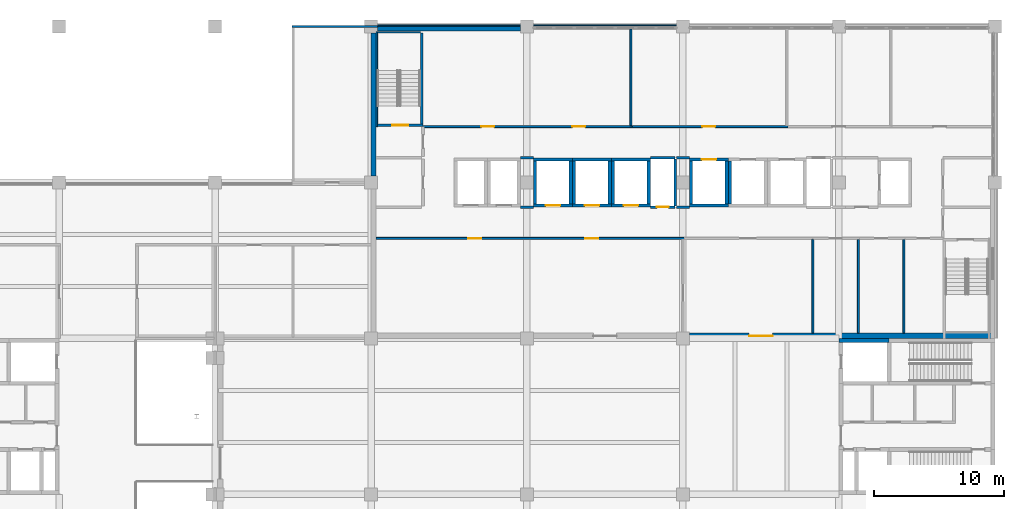
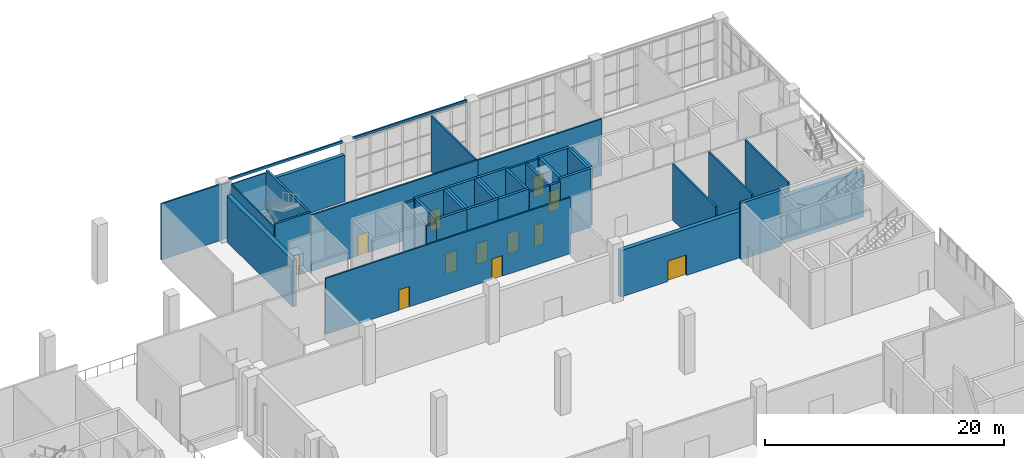
# One storey, part 65 of 72: 42 walls, 12 doors, 12 openings.
"""IFC4 building model written with IfcOpenShell, lengths in metres."""

import ifcopenshell
import ifcopenshell.guid

model = None  # the IFC model being written
_history = None  # IfcOwnerHistory: only IFC2X3 demands one
_inside = {}  # id of a spatial element -> (the spatial element, [elements in it])
_under = {}  # id of a project, library or spatial element -> (it, [spatial elements below it])
_declared = {}  # id of a project -> (the project, [libraries it declares])
_typed = {}  # id of a type object -> (the type object, [elements of that type])
_made_of = {}  # id of a material, layer set ... -> (it, [elements and type objects made of it])


def new_model(schema):
    """Start an empty IFC model of exactly this schema.

    Asked for "IFC4X3", IfcOpenShell would pick the latest addendum, in which some entities
    have other attributes; the version numbers below select the first issue.
    IFC2X3 requires an IfcOwnerHistory on every rooted entity: one is made here for all.
    """
    global model, _history
    if schema == "IFC4X3":
        model = ifcopenshell.file(schema_version=(4, 3, 0, 0))
    else:
        model = ifcopenshell.file(schema=schema)
    _inside.clear()
    _under.clear()
    _declared.clear()
    _typed.clear()
    _made_of.clear()
    _history = None
    if model.schema == "IFC2X3":
        org = make("IfcOrganization", Name="unknown")
        user = make(
            "IfcPersonAndOrganization",
            ThePerson=make("IfcPerson", FamilyName="unknown"),
            TheOrganization=org,
        )
        app = make(
            "IfcApplication",
            ApplicationDeveloper=org,
            Version="unknown",
            ApplicationFullName="unknown",
            ApplicationIdentifier="unknown",
        )
        _history = make(
            "IfcOwnerHistory",
            OwningUser=user,
            OwningApplication=app,
            ChangeAction="ADDED",
            CreationDate=0,
        )
    return model


def make(cls, **values):
    """One entity of the class cls with the attributes given. An attribute that is None is left unset."""
    return model.create_entity(
        cls, **{name: value for name, value in values.items() if value is not None}
    )


def rooted(cls, **values):
    """An entity with a GlobalId (a new one), such as an element, a storey or a relation."""
    return make(cls, GlobalId=ifcopenshell.guid.new(), OwnerHistory=_history, **values)


def si_unit(unit_type, name, prefix=None):
    """IfcSIUnit, for example si_unit("LENGTHUNIT", "METRE", prefix="MILLI")."""
    return make("IfcSIUnit", UnitType=unit_type, Prefix=prefix, Name=name)


def assignment(units):
    """IfcUnitAssignment: the units of a project."""
    return None if units is None else make("IfcUnitAssignment", Units=units)


def point(xyz):
    """IfcCartesianPoint."""
    return None if xyz is None else make("IfcCartesianPoint", Coordinates=xyz)


def direction(xyz):
    """IfcDirection."""
    return None if xyz is None else make("IfcDirection", DirectionRatios=xyz)


def frame(location, z_axis=None, x_axis=None):
    """IfcAxis2Placement3D, a coordinate frame: its origin and axes. An axis left out is left unset."""
    return make(
        "IfcAxis2Placement3D",
        Location=point(location),
        Axis=direction(z_axis),
        RefDirection=direction(x_axis),
    )


def frame_2d(location, x_axis=None):
    """IfcAxis2Placement2D, a coordinate frame in the plane: its origin and x axis."""
    return make(
        "IfcAxis2Placement2D", Location=point(location), RefDirection=direction(x_axis)
    )


def origin():
    """The frame at (0, 0, 0) with its axes left unset."""
    return frame((0.0, 0.0, 0.0))


def place(relative_to, where):
    """IfcLocalPlacement: puts the frame where relative to a parent placement (None: the world)."""
    return make(
        "IfcLocalPlacement", PlacementRelTo=relative_to, RelativePlacement=where
    )


def context(
    kind, dimensions, precision=None, world=None, true_north=None, identifier=None
):
    """IfcGeometricRepresentationContext, for example the 3D "Model" context."""
    return make(
        "IfcGeometricRepresentationContext",
        ContextIdentifier=identifier,
        ContextType=kind,
        CoordinateSpaceDimension=dimensions,
        Precision=precision,
        WorldCoordinateSystem=world,
        TrueNorth=true_north,
    )


def subcontext(parent, identifier, kind, view, scale=None):
    """IfcGeometricRepresentationSubContext, for example "Body" below "Model"."""
    return make(
        "IfcGeometricRepresentationSubContext",
        ContextIdentifier=identifier,
        ContextType=kind,
        ParentContext=parent,
        TargetScale=scale,
        TargetView=view,
    )


def project(units=None, contexts=None):
    """IfcProject with its units and contexts."""
    return rooted(
        "IfcProject",
        Name="project",
        RepresentationContexts=contexts,
        UnitsInContext=assignment(units),
    )


def spatial(cls, under=None, at=None, **own):
    """A site, building, storey or space (cls), placed at a placement, below another one or the project."""
    s = rooted(cls, ObjectPlacement=at, **own)
    if under is not None:
        _under.setdefault(under.id(), (under, []))[1].append(s)
    return s


def profile(cls, at=None, kind="AREA", **sizes):
    """A parametric profile (cls). Its sizes go by their IFC names, for example OverallWidth=200.0."""
    return make(cls, ProfileType=kind, Position=at, **sizes)


def rectangle(**sizes):
    """IfcRectangleProfileDef."""
    return profile("IfcRectangleProfileDef", **sizes)


def extrude(swept, where, along, depth):
    """IfcExtrudedAreaSolid: the profile swept, set in the frame where, extruded along a direction by depth."""
    return make(
        "IfcExtrudedAreaSolid",
        SweptArea=swept,
        Position=where,
        ExtrudedDirection=direction(along),
        Depth=depth,
    )


def shape(context_of_items, identifier, shape_type, items):
    """IfcShapeRepresentation: the items that make up one representation, for example the "Body"."""
    return make(
        "IfcShapeRepresentation",
        ContextOfItems=context_of_items,
        RepresentationIdentifier=identifier,
        RepresentationType=shape_type,
        Items=items,
    )


def material(Name=None, Category=None):
    """IfcMaterial."""
    return make("IfcMaterial", Name=Name, Category=Category)


def layer(
    of_material, thickness, ventilated=None, Name=None, Category=None, Priority=None
):
    """IfcMaterialLayer: one layer of a wall or slab, of a material (None: an air gap)."""
    return make(
        "IfcMaterialLayer",
        Material=of_material,
        LayerThickness=thickness,
        IsVentilated=ventilated,
        Name=Name,
        Category=Category,
        Priority=Priority,
    )


def layer_set(layers, Name=None):
    """IfcMaterialLayerSet."""
    return make("IfcMaterialLayerSet", MaterialLayers=layers, LayerSetName=Name)


def made_of(thing, what):
    """Note that an element or type object is made of a material, layer set ...; save() writes the relation."""
    if what is not None:
        _made_of.setdefault(what.id(), (what, []))[1].append(thing)
    return thing


def type_object(cls, material=None, **own):
    """A type object (cls), such as IfcWallType, which elements share."""
    return made_of(rooted(cls, **own), material)


def element(
    cls,
    number,
    at=None,
    inside=None,
    cuts=None,
    type_object=None,
    material=None,
    context=None,
    identifier="Body",
    shape_type=None,
    held_by="IfcProductDefinitionShape",
    body=None,
    shapes=None,
    **own,
):
    """One element of the class cls, such as IfcWall. Its Tag is "e" and its number.

    at: its placement. inside: the storey or other place that contains it. cuts: it is an
    opening in that element (IfcRelVoidsElement). A single representation is given by context,
    identifier, shape_type and body (its items); several are given by shapes. held_by: the class
    of the entity that holds the representations. save() writes the other relations.
    """
    e = rooted(cls, Tag="e%d" % number, ObjectPlacement=at, **own)
    if body is not None:
        shapes = [shape(context, identifier, shape_type, body)]
    if shapes is not None:
        e.Representation = make(held_by, Representations=shapes)
    if inside is not None:
        _inside.setdefault(inside.id(), (inside, []))[1].append(e)
    if cuts is not None:
        rooted(
            "IfcRelVoidsElement", RelatingBuildingElement=cuts, RelatedOpeningElement=e
        )
    if type_object is not None:
        _typed.setdefault(type_object.id(), (type_object, []))[1].append(e)
    return made_of(e, material)


def fill(opening, filler):
    """IfcRelFillsElement: the door or window that sits in an opening."""
    return rooted(
        "IfcRelFillsElement",
        RelatingOpeningElement=opening,
        RelatedBuildingElement=filler,
    )


def aggregate(whole, parts):
    """IfcRelAggregates: a whole, such as a stair, and the parts it consists of."""
    return rooted("IfcRelAggregates", RelatingObject=whole, RelatedObjects=parts)


def save(model, path):
    """Write the relations noted so far, then the file.

    IfcRelAggregates (storeys below a building ...), IfcRelContainedInSpatialStructure (elements
    in a storey), IfcRelDefinesByType, IfcRelAssociatesMaterial and IfcRelDeclares: one each for
    every whole, place, type object, material and project.
    """
    for whole, parts in _under.values():
        aggregate(whole, parts)
    for where, things in _inside.values():
        rooted(
            "IfcRelContainedInSpatialStructure",
            RelatedElements=things,
            RelatingStructure=where,
        )
    for kind, things in _typed.values():
        rooted("IfcRelDefinesByType", RelatedObjects=things, RelatingType=kind)
    for what, things in _made_of.values():
        rooted("IfcRelAssociatesMaterial", RelatedObjects=things, RelatingMaterial=what)
    for by, libraries in _declared.values():
        rooted("IfcRelDeclares", RelatingContext=by, RelatedDefinitions=libraries)
    model.write(path)


model = new_model("IFC4")

# Units and contexts
model_context = context("Model", 3, precision=1e-05, world=origin(), true_north=direction((0.0, 1.0)))
body_context = subcontext(model_context, "Body", "Model", "MODEL_VIEW")
ifc_project = project(units=[si_unit("LENGTHUNIT", "METRE"), si_unit("AREAUNIT", "SQUARE_METRE"), si_unit("VOLUMEUNIT", "CUBIC_METRE"), si_unit("PLANEANGLEUNIT", "RADIAN"), si_unit("MASSUNIT", "GRAM", prefix="KILO")], contexts=[model_context])

# Site, building, storey
site_placement = place(None, origin())
site = spatial("IfcSite", under=ifc_project, at=site_placement, CompositionType="ELEMENT")
building_placement = place(site_placement, origin())
building = spatial("IfcBuilding", under=site, at=building_placement, Name="Lilac Gate Convention Centre", CompositionType="ELEMENT")
storey_placement = place(building_placement, frame((0.0, 0.0, 6.0)))
storey = spatial("IfcBuildingStorey", under=building, at=storey_placement, Name="L01", CompositionType="ELEMENT", Elevation=6.0)

# Walls
ifc_material_1 = material(Name="Concrete C60", Category="concrete")
ifc_layer_1 = layer(ifc_material_1, 0.10009765625)
ifc_layer_set_1 = layer_set([ifc_layer_1], Name="Concrete C60")
wall_type_1 = type_object("IfcWallType", Name="Core wall 100 C60", PredefinedType="SHEAR", material=ifc_layer_set_1)
wall_1_placement = place(storey_placement, frame((42.449951171875, 238.300048828125, 0.0), z_axis=(0.0, 0.0, 1.0), x_axis=(0.0, 1.0, 0.0)))
element("IfcWall", 1, at=wall_1_placement, inside=storey, type_object=wall_type_1, Name="CRW8 core wall TS-WX L01 1", PredefinedType="SHEAR", context=body_context, shape_type="SweptSolid", body=[
    extrude(rectangle(XDim=7.300048828125, YDim=0.10009765625, at=frame_2d((3.64990234375, 0.0))), origin(), (0.0, 0.0, 1.0), 5.75),
])
wall_2_placement = place(storey_placement, frame((42.5, 245.550048828125, 0.0), z_axis=(0.0, 0.0, 1.0), x_axis=(1.0, 0.0, 0.0)))
element("IfcWall", 2, at=wall_2_placement, inside=storey, type_object=wall_type_1, Name="CRW8 core wall TS-WX L01 2", PredefinedType="SHEAR", context=body_context, shape_type="SweptSolid", body=[
    extrude(rectangle(XDim=3.300048828125, YDim=0.10009765625, at=frame_2d((1.64990234375, 0.0))), origin(), (0.0, 0.0, 1.0), 5.75),
])

# Wall, opening, door
ifc_layer_2 = layer(ifc_material_1, 0.199951171875)
ifc_layer_set_2 = layer_set([ifc_layer_2], Name="Concrete C60")
wall_type_2 = type_object("IfcWallType", Name="Core wall 200 C60", PredefinedType="SHEAR", material=ifc_layer_set_2)
wall_3_placement = place(storey_placement, frame((42.5, 238.39990234375, 0.0), z_axis=(0.0, 0.0, 1.0), x_axis=(1.0, 0.0, 0.0)))
wall_3 = element("IfcWall", 3, at=wall_3_placement, inside=storey, type_object=wall_type_2, Name="CRW2 core wall TS-W L01 1", PredefinedType="SHEAR", context=body_context, shape_type="SweptSolid", body=[
    extrude(rectangle(XDim=3.5, YDim=0.199951171875, at=frame_2d((1.75, 0.0))), origin(), (0.0, 0.0, 1.0), 6.0),
])
opening_1_placement = place(wall_3_placement, frame((1.14990234375, 0.0, 0.0)))
opening_1 = element("IfcOpeningElement", 4, at=opening_1_placement, cuts=wall_3, Name="Opening T01-029", PredefinedType="OPENING", context=body_context, shape_type="SweptSolid", body=[
    extrude(rectangle(XDim=1.199951171875, YDim=2.10009765625, at=frame_2d((0.60009765625, 1.050048828125))), frame((0.0, 0.10986328125, 0.0), z_axis=(0.0, -1.0, 0.0), x_axis=(1.0, 0.0, 0.0)), (0.0, 0.0, 1.0), 0.219970703125),
])
ifc_material_2 = material(Name="Steel Q235B", Category="steel")
door_type_1 = type_object("IfcDoorType", Name="Stair door 1200", OperationType="SINGLE_SWING_LEFT", PredefinedType="DOOR", material=ifc_material_2)
door_1_placement = place(opening_1_placement, origin())
door_1 = element("IfcDoor", 5, at=door_1_placement, inside=storey, type_object=door_type_1, Name="Stair door NW L01", OperationType="SINGLE_SWING_RIGHT", OverallHeight=2.10009765625, OverallWidth=1.199951171875, PredefinedType="DOOR", context=body_context, shape_type="SweptSolid", body=[
    extrude(rectangle(XDim=1.199951171875, YDim=2.10009765625, at=frame_2d((0.60009765625, 1.050048828125))), frame((0.0, 0.02490234375, 0.0), z_axis=(0.0, -1.0, 0.0), x_axis=(1.0, 0.0, 0.0)), (0.0, 0.0, 1.0), 0.050048828125),
])
fill(opening_1, door_1)

# Wall
wall_4_placement = place(storey_placement, frame((45.89990234375, 238.5, 0.0), z_axis=(0.0, 0.0, 1.0), x_axis=(0.0, 1.0, 0.0)))
element("IfcWall", 6, at=wall_4_placement, inside=storey, type_object=wall_type_2, Name="CRW2 core wall TS-W L01 2", PredefinedType="SHEAR", context=body_context, shape_type="SweptSolid", body=[
    extrude(rectangle(XDim=7.0, YDim=0.199951171875, at=frame_2d((3.5, 0.0))), origin(), (0.0, 0.0, 1.0), 6.0),
])

# Wall, opening, door
ifc_layer_3 = layer(ifc_material_1, 0.25)
ifc_layer_set_3 = layer_set([ifc_layer_3], Name="Concrete C60")
wall_type_3 = type_object("IfcWallType", Name="Core wall 250 C60", PredefinedType="SHEAR", material=ifc_layer_set_3)
wall_5_placement = place(storey_placement, frame((54.5, 232.22509765625, 0.0), z_axis=(0.0, 0.0, 1.0), x_axis=(1.0, 0.0, 0.0)))
wall_5 = element("IfcWall", 7, at=wall_5_placement, inside=storey, type_object=wall_type_3, Name="CRW3 core wall TC L01 1", PredefinedType="SHEAR", context=body_context, shape_type="SweptSolid", body=[
    extrude(rectangle(XDim=3.0, YDim=0.25, at=frame_2d((1.5, 0.0))), origin(), (0.0, 0.0, 1.0), 6.0),
])
opening_2_placement = place(wall_5_placement, frame((0.949951171875, 0.0, 0.0)))
opening_2 = element("IfcOpeningElement", 8, at=opening_2_placement, cuts=wall_5, Name="Opening T01-020", PredefinedType="OPENING", context=body_context, shape_type="SweptSolid", body=[
    extrude(rectangle(XDim=1.10009765625, YDim=2.10009765625, at=frame_2d((0.550048828125, 1.050048828125))), frame((0.0, 0.135009765625, 0.0), z_axis=(0.0, -1.0, 0.0), x_axis=(1.0, 0.0, 0.0)), (0.0, 0.0, 1.0), 0.27001953125),
])
ifc_material_3 = material(Name="Stainless steel 304", Category="steel")
door_type_2 = type_object("IfcDoorType", Name="Lift landing door 1100", OperationType="SLIDING_TO_LEFT", PredefinedType="DOOR", material=ifc_material_3)
door_2_placement = place(opening_2_placement, origin())
door_2 = element("IfcDoor", 9, at=door_2_placement, inside=storey, type_object=door_type_2, Name="Lift landing door TP1 L01", OperationType="SLIDING_TO_LEFT", OverallHeight=2.10009765625, OverallWidth=1.10009765625, PredefinedType="DOOR", context=body_context, shape_type="SweptSolid", body=[
    extrude(rectangle(XDim=1.10009765625, YDim=2.10009765625, at=frame_2d((0.550048828125, 1.050048828125))), frame((0.0, 0.02490234375, 0.0), z_axis=(0.0, -1.0, 0.0), x_axis=(1.0, 0.0, 0.0)), (0.0, 0.0, 1.0), 0.050048828125),
])
fill(opening_2, door_2)

# Walls
wall_6_placement = place(storey_placement, frame((54.5, 235.77490234375, 0.0), z_axis=(0.0, 0.0, 1.0), x_axis=(1.0, 0.0, 0.0)))
element("IfcWall", 10, at=wall_6_placement, inside=storey, type_object=wall_type_3, Name="CRW3 core wall TC L01 2", PredefinedType="SHEAR", context=body_context, shape_type="SweptSolid", body=[
    extrude(rectangle(XDim=3.0, YDim=0.25, at=frame_2d((1.5, 0.0))), origin(), (0.0, 0.0, 1.0), 6.0),
])
for number, where, z_axis, x_axis, name in (
    (11, (54.625, 232.35009765625, 0.0), (0.0, 0.0, 1.0), (0.0, 1.0, 0.0), "CRW3 core wall TC L01 3"),
    (12, (57.375, 232.35009765625, 0.0), (0.0, 0.0, 1.0), (0.0, 1.0, 0.0), "CRW3 core wall TC L01 4"),
):
    element("IfcWall", number, at=place(storey_placement, frame(where, z_axis=z_axis, x_axis=x_axis)), inside=storey, type_object=wall_type_3, Name=name, PredefinedType="SHEAR", context=body_context, shape_type="SweptSolid", body=[
        extrude(rectangle(XDim=3.2998046875, YDim=0.25, at=frame_2d((1.64990234375, 0.0))), origin(), (0.0, 0.0, 1.0), 6.0),
    ])

# Wall, opening, door
wall_7_placement = place(storey_placement, frame((57.5, 232.22509765625, 0.0), z_axis=(0.0, 0.0, 1.0), x_axis=(1.0, 0.0, 0.0)))
wall_7 = element("IfcWall", 13, at=wall_7_placement, inside=storey, type_object=wall_type_3, Name="CRW3 core wall TC L01 5", PredefinedType="SHEAR", context=body_context, shape_type="SweptSolid", body=[
    extrude(rectangle(XDim=3.0, YDim=0.25, at=frame_2d((1.5, 0.0))), origin(), (0.0, 0.0, 1.0), 6.0),
])
opening_3_placement = place(wall_7_placement, frame((0.949951171875, 0.0, 0.0)))
opening_3 = element("IfcOpeningElement", 14, at=opening_3_placement, cuts=wall_7, Name="Opening T01-021", PredefinedType="OPENING", context=body_context, shape_type="SweptSolid", body=[
    extrude(rectangle(XDim=1.10009765625, YDim=2.10009765625, at=frame_2d((0.550048828125, 1.050048828125))), frame((0.0, 0.135009765625, 0.0), z_axis=(0.0, -1.0, 0.0), x_axis=(1.0, 0.0, 0.0)), (0.0, 0.0, 1.0), 0.27001953125),
])
door_3_placement = place(opening_3_placement, origin())
door_3 = element("IfcDoor", 15, at=door_3_placement, inside=storey, type_object=door_type_2, Name="Lift landing door TP2 L01", OperationType="SLIDING_TO_LEFT", OverallHeight=2.10009765625, OverallWidth=1.10009765625, PredefinedType="DOOR", context=body_context, shape_type="SweptSolid", body=[
    extrude(rectangle(XDim=1.10009765625, YDim=2.10009765625, at=frame_2d((0.550048828125, 1.050048828125))), frame((0.0, 0.02490234375, 0.0), z_axis=(0.0, -1.0, 0.0), x_axis=(1.0, 0.0, 0.0)), (0.0, 0.0, 1.0), 0.050048828125),
])
fill(opening_3, door_3)

# Walls
wall_8_placement = place(storey_placement, frame((57.5, 235.77490234375, 0.0), z_axis=(0.0, 0.0, 1.0), x_axis=(1.0, 0.0, 0.0)))
element("IfcWall", 16, at=wall_8_placement, inside=storey, type_object=wall_type_3, Name="CRW3 core wall TC L01 6", PredefinedType="SHEAR", context=body_context, shape_type="SweptSolid", body=[
    extrude(rectangle(XDim=3.0, YDim=0.25, at=frame_2d((1.5, 0.0))), origin(), (0.0, 0.0, 1.0), 6.0),
])
for number, where, z_axis, x_axis, name in (
    (17, (57.625, 232.35009765625, 0.0), (0.0, 0.0, 1.0), (0.0, 1.0, 0.0), "CRW3 core wall TC L01 7"),
    (18, (60.375, 232.35009765625, 0.0), (0.0, 0.0, 1.0), (0.0, 1.0, 0.0), "CRW3 core wall TC L01 8"),
):
    element("IfcWall", number, at=place(storey_placement, frame(where, z_axis=z_axis, x_axis=x_axis)), inside=storey, type_object=wall_type_3, Name=name, PredefinedType="SHEAR", context=body_context, shape_type="SweptSolid", body=[
        extrude(rectangle(XDim=3.2998046875, YDim=0.25, at=frame_2d((1.64990234375, 0.0))), origin(), (0.0, 0.0, 1.0), 6.0),
    ])

# Wall, opening, door
wall_9_placement = place(storey_placement, frame((60.5, 232.22509765625, 0.0), z_axis=(0.0, 0.0, 1.0), x_axis=(1.0, 0.0, 0.0)))
wall_9 = element("IfcWall", 19, at=wall_9_placement, inside=storey, type_object=wall_type_3, Name="CRW3 core wall TC L01 9", PredefinedType="SHEAR", context=body_context, shape_type="SweptSolid", body=[
    extrude(rectangle(XDim=3.0, YDim=0.25, at=frame_2d((1.5, 0.0))), origin(), (0.0, 0.0, 1.0), 6.0),
])
opening_4_placement = place(wall_9_placement, frame((0.949951171875, 0.0, 0.0)))
opening_4 = element("IfcOpeningElement", 20, at=opening_4_placement, cuts=wall_9, Name="Opening T01-022", PredefinedType="OPENING", context=body_context, shape_type="SweptSolid", body=[
    extrude(rectangle(XDim=1.10009765625, YDim=2.10009765625, at=frame_2d((0.550048828125, 1.050048828125))), frame((0.0, 0.135009765625, 0.0), z_axis=(0.0, -1.0, 0.0), x_axis=(1.0, 0.0, 0.0)), (0.0, 0.0, 1.0), 0.27001953125),
])
door_4_placement = place(opening_4_placement, origin())
door_4 = element("IfcDoor", 21, at=door_4_placement, inside=storey, type_object=door_type_2, Name="Lift landing door TP3 L01", OperationType="SLIDING_TO_LEFT", OverallHeight=2.10009765625, OverallWidth=1.10009765625, PredefinedType="DOOR", context=body_context, shape_type="SweptSolid", body=[
    extrude(rectangle(XDim=1.10009765625, YDim=2.10009765625, at=frame_2d((0.550048828125, 1.050048828125))), frame((0.0, 0.02490234375, 0.0), z_axis=(0.0, -1.0, 0.0), x_axis=(1.0, 0.0, 0.0)), (0.0, 0.0, 1.0), 0.050048828125),
])
fill(opening_4, door_4)

# Walls
wall_10_placement = place(storey_placement, frame((60.5, 235.77490234375, 0.0), z_axis=(0.0, 0.0, 1.0), x_axis=(1.0, 0.0, 0.0)))
element("IfcWall", 22, at=wall_10_placement, inside=storey, type_object=wall_type_3, Name="CRW3 core wall TC L01 10", PredefinedType="SHEAR", context=body_context, shape_type="SweptSolid", body=[
    extrude(rectangle(XDim=3.0, YDim=0.25, at=frame_2d((1.5, 0.0))), origin(), (0.0, 0.0, 1.0), 6.0),
])
for number, where, z_axis, x_axis, name in (
    (23, (60.625, 232.35009765625, 0.0), (0.0, 0.0, 1.0), (0.0, 1.0, 0.0), "CRW3 core wall TC L01 11"),
    (24, (63.375, 232.35009765625, 0.0), (0.0, 0.0, 1.0), (0.0, 1.0, 0.0), "CRW3 core wall TC L01 12"),
):
    element("IfcWall", number, at=place(storey_placement, frame(where, z_axis=z_axis, x_axis=x_axis)), inside=storey, type_object=wall_type_3, Name=name, PredefinedType="SHEAR", context=body_context, shape_type="SweptSolid", body=[
        extrude(rectangle(XDim=3.2998046875, YDim=0.25, at=frame_2d((1.64990234375, 0.0))), origin(), (0.0, 0.0, 1.0), 6.0),
    ])
wall_11_placement = place(storey_placement, frame((66.5, 232.22509765625, 0.0), z_axis=(0.0, 0.0, 1.0), x_axis=(1.0, 0.0, 0.0)))
element("IfcWall", 25, at=wall_11_placement, inside=storey, type_object=wall_type_3, Name="CRW3 core wall TC L01 13", PredefinedType="SHEAR", context=body_context, shape_type="SweptSolid", body=[
    extrude(rectangle(XDim=3.0, YDim=0.25, at=frame_2d((1.5, 0.0))), origin(), (0.0, 0.0, 1.0), 6.0),
])

# Wall, opening, door
wall_12_placement = place(storey_placement, frame((66.5, 235.77490234375, 0.0), z_axis=(0.0, 0.0, 1.0), x_axis=(1.0, 0.0, 0.0)))
wall_12 = element("IfcWall", 26, at=wall_12_placement, inside=storey, type_object=wall_type_3, Name="CRW3 core wall TC L01 14", PredefinedType="SHEAR", context=body_context, shape_type="SweptSolid", body=[
    extrude(rectangle(XDim=3.0, YDim=0.25, at=frame_2d((1.5, 0.0))), origin(), (0.0, 0.0, 1.0), 6.0),
])
opening_5_placement = place(wall_12_placement, frame((0.949951171875, 0.0, 0.0)))
opening_5 = element("IfcOpeningElement", 27, at=opening_5_placement, cuts=wall_12, Name="Opening T01-023", PredefinedType="OPENING", context=body_context, shape_type="SweptSolid", body=[
    extrude(rectangle(XDim=1.10009765625, YDim=2.10009765625, at=frame_2d((0.550048828125, 1.050048828125))), frame((0.0, 0.135009765625, 0.0), z_axis=(0.0, -1.0, 0.0), x_axis=(1.0, 0.0, 0.0)), (0.0, 0.0, 1.0), 0.27001953125),
])
door_5_placement = place(opening_5_placement, origin())
door_5 = element("IfcDoor", 28, at=door_5_placement, inside=storey, type_object=door_type_2, Name="Lift landing door TP4 L01", OperationType="SLIDING_TO_LEFT", OverallHeight=2.10009765625, OverallWidth=1.10009765625, PredefinedType="DOOR", context=body_context, shape_type="SweptSolid", body=[
    extrude(rectangle(XDim=1.10009765625, YDim=2.10009765625, at=frame_2d((0.550048828125, 1.050048828125))), frame((0.0, 0.02490234375, 0.0), z_axis=(0.0, -1.0, 0.0), x_axis=(1.0, 0.0, 0.0)), (0.0, 0.0, 1.0), 0.050048828125),
])
fill(opening_5, door_5)

# Walls
for number, where, z_axis, x_axis, name in (
    (29, (66.625, 232.35009765625, 0.0), (0.0, 0.0, 1.0), (0.0, 1.0, 0.0), "CRW3 core wall TC L01 15"),
    (30, (69.375, 232.35009765625, 0.0), (0.0, 0.0, 1.0), (0.0, 1.0, 0.0), "CRW3 core wall TC L01 16"),
    (31, (69.625, 232.35009765625, 0.0), (0.0, 0.0, 1.0), (0.0, 1.0, 0.0), "CRW3 core wall TC L01 19"),
):
    element("IfcWall", number, at=place(storey_placement, frame(where, z_axis=z_axis, x_axis=x_axis)), inside=storey, type_object=wall_type_3, Name=name, PredefinedType="SHEAR", context=body_context, shape_type="SweptSolid", body=[
        extrude(rectangle(XDim=3.2998046875, YDim=0.25, at=frame_2d((1.64990234375, 0.0))), origin(), (0.0, 0.0, 1.0), 6.0),
    ])

# Wall, openings, doors
ifc_material_4 = material(Name="Gypsum board on steel stud", Category="steel")
ifc_layer_4 = layer(ifc_material_4, 0.14990234375)
ifc_layer_set_4 = layer_set([ifc_layer_4], Name="Gypsum board on steel stud")
wall_type_4 = type_object("IfcWallType", Name="Corridor wall 150", PredefinedType="PARTITIONING", material=ifc_layer_set_4)
wall_13_placement = place(storey_placement, frame((66.10009765625, 229.699951171875, 0.0), z_axis=(0.0, 0.0, 1.0), x_axis=(-1.0, 0.0, 0.0)))
wall_13 = element("IfcWall", 32, at=wall_13_placement, inside=storey, type_object=wall_type_4, Name="Corridor wall 150 front SRT", PredefinedType="PARTITIONING", context=body_context, shape_type="SweptSolid", body=[
    extrude(rectangle(XDim=23.7001953125, YDim=0.14990234375, at=frame_2d((11.85009765625, 0.0))), origin(), (0.0, 0.0, 1.0), 5.75),
])
opening_6_placement = place(wall_13_placement, frame((15.60009765625, 0.0, 0.0)))
opening_6 = element("IfcOpeningElement", 33, at=opening_6_placement, cuts=wall_13, Name="Opening T01-008", PredefinedType="OPENING", context=body_context, shape_type="SweptSolid", body=[
    extrude(rectangle(XDim=1.0, YDim=2.10009765625, at=frame_2d((0.5, 1.050048828125))), frame((0.0, 0.0849609375, 0.0), z_axis=(0.0, -1.0, 0.0), x_axis=(1.0, 0.0, 0.0)), (0.0, 0.0, 1.0), 0.169921875),
])
opening_7_placement = place(wall_13_placement, frame((6.60009765625, 0.0, 0.0)))
opening_7 = element("IfcOpeningElement", 34, at=opening_7_placement, cuts=wall_13, Name="Opening T01-009", PredefinedType="OPENING", context=body_context, shape_type="SweptSolid", body=[
    extrude(rectangle(XDim=1.0, YDim=2.10009765625, at=frame_2d((0.5, 1.050048828125))), frame((0.0, 0.0849609375, 0.0), z_axis=(0.0, -1.0, 0.0), x_axis=(1.0, 0.0, 0.0)), (0.0, 0.0, 1.0), 0.169921875),
])
ifc_material_5 = material(Name="Timber", Category="wood")
door_type_3 = type_object("IfcDoorType", Name="Room door 1000", OperationType="SINGLE_SWING_LEFT", PredefinedType="DOOR", material=ifc_material_5)
door_6_placement = place(opening_6_placement, origin())
door_6 = element("IfcDoor", 35, at=door_6_placement, inside=storey, type_object=door_type_3, Name="Specialty Restaurant door", OperationType="SINGLE_SWING_RIGHT", OverallHeight=2.10009765625, OverallWidth=1.0, PredefinedType="DOOR", context=body_context, shape_type="SweptSolid", body=[
    extrude(rectangle(XDim=1.0, YDim=2.10009765625, at=frame_2d((0.5, 1.050048828125))), frame((0.0, 0.02490234375, 0.0), z_axis=(0.0, -1.0, 0.0), x_axis=(1.0, 0.0, 0.0)), (0.0, 0.0, 1.0), 0.050048828125),
])
fill(opening_6, door_6)
door_7_placement = place(opening_7_placement, origin())
door_7 = element("IfcDoor", 36, at=door_7_placement, inside=storey, type_object=door_type_3, Name="Specialty Restaurant door", OperationType="SINGLE_SWING_LEFT", OverallHeight=2.10009765625, OverallWidth=1.0, PredefinedType="DOOR", context=body_context, shape_type="SweptSolid", body=[
    extrude(rectangle(XDim=1.0, YDim=2.10009765625, at=frame_2d((0.5, 1.050048828125))), frame((0.0, 0.02490234375, 0.0), z_axis=(0.0, -1.0, 0.0), x_axis=(1.0, 0.0, 0.0)), (0.0, 0.0, 1.0), 0.050048828125),
])
fill(opening_7, door_7)

wall_14_placement = place(storey_placement, frame((46.0, 238.300048828125, 0.0), z_axis=(0.0, 0.0, 1.0), x_axis=(1.0, 0.0, 0.0)))
wall_14 = element("IfcWall", 37, at=wall_14_placement, inside=storey, type_object=wall_type_4, Name="Corridor wall 150 front BAR", PredefinedType="PARTITIONING", context=body_context, shape_type="SweptSolid", body=[
    extrude(rectangle(XDim=16.10009765625, YDim=0.14990234375, at=frame_2d((8.050048828125, 0.0))), origin(), (0.0, 0.0, 1.0), 5.75),
])
opening_8_placement = place(wall_14_placement, frame((4.5, 0.0, 0.0)))
opening_8 = element("IfcOpeningElement", 38, at=opening_8_placement, cuts=wall_14, Name="Opening T01-015", PredefinedType="OPENING", context=body_context, shape_type="SweptSolid", body=[
    extrude(rectangle(XDim=1.0, YDim=2.10009765625, at=frame_2d((0.5, 1.050048828125))), frame((0.0, 0.0849609375, 0.0), z_axis=(0.0, -1.0, 0.0), x_axis=(1.0, 0.0, 0.0)), (0.0, 0.0, 1.0), 0.169921875),
])
opening_9_placement = place(wall_14_placement, frame((11.5, 0.0, 0.0)))
opening_9 = element("IfcOpeningElement", 39, at=opening_9_placement, cuts=wall_14, Name="Opening T01-016", PredefinedType="OPENING", context=body_context, shape_type="SweptSolid", body=[
    extrude(rectangle(XDim=1.0, YDim=2.10009765625, at=frame_2d((0.5, 1.050048828125))), frame((0.0, 0.0849609375, 0.0), z_axis=(0.0, -1.0, 0.0), x_axis=(1.0, 0.0, 0.0)), (0.0, 0.0, 1.0), 0.169921875),
])
door_8_placement = place(opening_8_placement, origin())
door_8 = element("IfcDoor", 40, at=door_8_placement, inside=storey, type_object=door_type_3, Name="Hotel Bar door", OperationType="SINGLE_SWING_LEFT", OverallHeight=2.10009765625, OverallWidth=1.0, PredefinedType="DOOR", context=body_context, shape_type="SweptSolid", body=[
    extrude(rectangle(XDim=1.0, YDim=2.10009765625, at=frame_2d((0.5, 1.050048828125))), frame((0.0, 0.02490234375, 0.0), z_axis=(0.0, -1.0, 0.0), x_axis=(1.0, 0.0, 0.0)), (0.0, 0.0, 1.0), 0.050048828125),
])
fill(opening_8, door_8)
door_9_placement = place(opening_9_placement, origin())
door_9 = element("IfcDoor", 41, at=door_9_placement, inside=storey, type_object=door_type_3, Name="Hotel Bar door", OperationType="SINGLE_SWING_RIGHT", OverallHeight=2.10009765625, OverallWidth=1.0, PredefinedType="DOOR", context=body_context, shape_type="SweptSolid", body=[
    extrude(rectangle(XDim=1.0, YDim=2.10009765625, at=frame_2d((0.5, 1.050048828125))), frame((0.0, 0.02490234375, 0.0), z_axis=(0.0, -1.0, 0.0), x_axis=(1.0, 0.0, 0.0)), (0.0, 0.0, 1.0), 0.050048828125),
])
fill(opening_9, door_9)

# Wall, opening, door
wall_15_placement = place(storey_placement, frame((62.10009765625, 238.300048828125, 0.0), z_axis=(0.0, 0.0, 1.0), x_axis=(1.0, 0.0, 0.0)))
wall_15 = element("IfcWall", 42, at=wall_15_placement, inside=storey, type_object=wall_type_4, Name="Corridor wall 150 front BSC", PredefinedType="PARTITIONING", context=body_context, shape_type="SweptSolid", body=[
    extrude(rectangle(XDim=12.0, YDim=0.14990234375, at=frame_2d((6.0, 0.0))), origin(), (0.0, 0.0, 1.0), 5.75),
])
opening_10_placement = place(wall_15_placement, frame((5.39990234375, 0.0, 0.0)))
opening_10 = element("IfcOpeningElement", 43, at=opening_10_placement, cuts=wall_15, Name="Opening T01-017", PredefinedType="OPENING", context=body_context, shape_type="SweptSolid", body=[
    extrude(rectangle(XDim=1.0, YDim=2.10009765625, at=frame_2d((0.5, 1.050048828125))), frame((0.0, 0.0849609375, 0.0), z_axis=(0.0, -1.0, 0.0), x_axis=(1.0, 0.0, 0.0)), (0.0, 0.0, 1.0), 0.169921875),
])
door_10_placement = place(opening_10_placement, origin())
door_10 = element("IfcDoor", 44, at=door_10_placement, inside=storey, type_object=door_type_3, Name="Business Centre door", OperationType="SINGLE_SWING_LEFT", OverallHeight=2.10009765625, OverallWidth=1.0, PredefinedType="DOOR", context=body_context, shape_type="SweptSolid", body=[
    extrude(rectangle(XDim=1.0, YDim=2.10009765625, at=frame_2d((0.5, 1.050048828125))), frame((0.0, 0.02490234375, 0.0), z_axis=(0.0, -1.0, 0.0), x_axis=(1.0, 0.0, 0.0)), (0.0, 0.0, 1.0), 0.050048828125),
])
fill(opening_10, door_10)

ifc_material_6 = material(Name="Concrete C30", Category="concrete")
ifc_layer_5 = layer(ifc_material_6, 0.39990234375)
ifc_layer_set_5 = layer_set([ifc_layer_5], Name="Concrete C30")
wall_type_5 = type_object("IfcWallType", Name="Hall fire wall 400", PredefinedType="SOLIDWALL", material=ifc_layer_set_5)
wall_16_placement = place(storey_placement, frame((66.5, 222.199951171875, 0.0), z_axis=(0.0, 0.0, 1.0), x_axis=(1.0, 0.0, 0.0)))
wall_16 = element("IfcWall", 45, at=wall_16_placement, inside=storey, type_object=wall_type_5, Name="Compartment wall S L01 3", PredefinedType="SOLIDWALL", context=body_context, shape_type="SweptSolid", body=[
    extrude(rectangle(XDim=23.5, YDim=0.39990234375, at=frame_2d((11.75, 0.0))), origin(), (0.0, 0.0, 1.0), 4.75),
])
opening_11_placement = place(wall_16_placement, frame((4.60009765625, 0.0, 0.0)))
opening_11 = element("IfcOpeningElement", 46, at=opening_11_placement, cuts=wall_16, Name="Opening L01-119", PredefinedType="OPENING", context=body_context, shape_type="SweptSolid", body=[
    extrude(rectangle(XDim=1.800048828125, YDim=2.10009765625, at=frame_2d((0.89990234375, 1.050048828125))), frame((0.0, 0.2099609375, 0.0), z_axis=(0.0, -1.0, 0.0), x_axis=(1.0, 0.0, 0.0)), (0.0, 0.0, 1.0), 0.419921875),
])
door_type_4 = type_object("IfcDoorType", Name="Door 1800 x 2100 double leaf FD90", OperationType="DOUBLE_DOOR_SINGLE_SWING", PredefinedType="DOOR", material=ifc_material_2)
door_11_placement = place(opening_11_placement, frame((1.800048828125, 0.0, 0.0), z_axis=(0.0, 0.0, 1.0), x_axis=(-1.0, 0.0, 0.0)))
door_11 = element("IfcDoor", 47, at=door_11_placement, inside=storey, type_object=door_type_4, Name="Fire door to hotel L01-119", OperationType="DOUBLE_DOOR_SINGLE_SWING", OverallHeight=2.10009765625, OverallWidth=1.800048828125, PredefinedType="DOOR", context=body_context, shape_type="SweptSolid", body=[
    extrude(rectangle(XDim=1.800048828125, YDim=2.10009765625, at=frame_2d((0.89990234375, 1.050048828125))), frame((0.0, 0.02490234375, 0.0), z_axis=(0.0, -1.0, 0.0), x_axis=(1.0, 0.0, 0.0)), (0.0, 0.0, 1.0), 0.050048828125),
])
fill(opening_11, door_11)

# Walls
wall_17_placement = place(storey_placement, frame((42.199951171875, 245.5, 0.0), z_axis=(0.0, 0.0, 1.0), x_axis=(0.0, -1.0, 0.0)))
element("IfcWall", 48, at=wall_17_placement, inside=storey, type_object=wall_type_5, Name="Compartment wall W L01 1", PredefinedType="SOLIDWALL", context=body_context, shape_type="SweptSolid", body=[
    extrude(rectangle(XDim=11.0, YDim=0.39990234375, at=frame_2d((5.5, 0.0))), origin(), (0.0, 0.0, 1.0), 4.75),
])
ifc_material_7 = material(Name="Fire-rated gypsum board on steel stud", Category="steel")
ifc_layer_6 = layer(ifc_material_7, 0.14990234375)
ifc_layer_set_6 = layer_set([ifc_layer_6], Name="Fire-rated gypsum board on steel stud")
wall_type_6 = type_object("IfcWallType", Name="Partition 150 fire-rated gypsum board EI 60", PredefinedType="PARTITIONING", material=ifc_layer_set_6)
wall_18_placement = place(storey_placement, frame((35.925048828125, 246.0, 0.0), z_axis=(0.0, 0.0, 1.0), x_axis=(1.0, 0.0, 0.0)))
element("IfcWall", 49, at=wall_18_placement, inside=storey, type_object=wall_type_6, Name="Partition 150 fire-rated gypsum board EI 60", PredefinedType="PARTITIONING", context=body_context, shape_type="SweptSolid", body=[
    extrude(rectangle(XDim=6.574951171875, YDim=0.14990234375, at=frame_2d((3.28759765625, 0.0))), origin(), (0.0, 0.0, 1.0), 5.75),
])
ifc_material_8 = material(Name="Ochre mineral render")
ifc_layer_7 = layer(ifc_material_8, 0.02001953125)
ifc_material_9 = material(Name="Concrete C40 precast", Category="concrete")
ifc_layer_8 = layer(ifc_material_9, 0.06005859375)
ifc_material_10 = material(Name="Ventilated air cavity")
ifc_layer_9 = layer(ifc_material_10, 0.030029296875)
ifc_material_11 = material(Name="Mineral wool insulation")
ifc_layer_10 = layer(ifc_material_11, 0.169921875)
ifc_material_12 = material(Name="Steel stud Q345 and gypsum lining", Category="steel")
ifc_layer_11 = layer(ifc_material_12, 0.070068359375)
ifc_layer_set_7 = layer_set([ifc_layer_7, ifc_layer_8, ifc_layer_9, ifc_layer_10, ifc_layer_11], Name="Ochre mineral render, Concrete C40 precast, Ventilated air cavity, Mineral wool insulation, Steel stud Q345 and gypsum lining")
wall_type_7 = type_object("IfcWallType", Name="Podium precast wall 350", PredefinedType="STANDARD", material=ifc_layer_set_7)
wall_19_placement = place(storey_placement, frame((53.5, 245.824951171875, 0.0), z_axis=(0.0, 0.0, 1.0), x_axis=(-1.0, 0.0, 0.0)))
element("IfcWall", 50, at=wall_19_placement, inside=storey, type_object=wall_type_7, Name="External wall N L01 4", PredefinedType="STANDARD", context=body_context, shape_type="SweptSolid", body=[
    extrude(rectangle(XDim=11.0, YDim=0.35009765625, at=frame_2d((5.5, 0.0))), origin(), (0.0, 0.0, 1.0), 4.75),
])
ifc_layer_12 = layer(ifc_material_9, 0.1298828125)
ifc_layer_13 = layer(ifc_material_8, 0.02001953125)
ifc_layer_set_8 = layer_set([ifc_layer_12, ifc_layer_13], Name="Concrete C40 precast, Ochre mineral render")
wall_type_8 = type_object("IfcWallType", Name="Precast band ochre 150", PredefinedType="STANDARD", material=ifc_layer_set_8)
for number, where, z_axis, x_axis, name in (
    (51, (65.5, 246.074951171875, 5.75), (0.0, 0.0, 1.0), (-1.0, 0.0, 0.0), "Precast band N L01 3"),
    (52, (53.5, 246.074951171875, 5.75), (0.0, 0.0, 1.0), (-1.0, 0.0, 0.0), "Precast band N L01 4"),
):
    element("IfcWall", number, at=place(storey_placement, frame(where, z_axis=z_axis, x_axis=x_axis)), inside=storey, type_object=wall_type_8, Name=name, PredefinedType="STANDARD", context=body_context, shape_type="SweptSolid", body=[
        extrude(rectangle(XDim=11.0, YDim=0.14990234375, at=frame_2d((5.5, 0.0))), origin(), (0.0, 0.0, 1.0), 0.25),
    ])
ifc_layer_14 = layer(ifc_material_4, 0.199951171875)
ifc_layer_set_9 = layer_set([ifc_layer_14], Name="Gypsum board on steel stud")
wall_type_9 = type_object("IfcWallType", Name="Riser and store wall 200", PredefinedType="PARTITIONING", material=ifc_layer_set_9)
wall_20_placement = place(storey_placement, frame((53.5, 232.10009765625, 0.0), z_axis=(0.0, 0.0, 1.0), x_axis=(1.0, 0.0, 0.0)))
element("IfcWall", 53, at=wall_20_placement, inside=storey, type_object=wall_type_9, Name="Riser and store wall 200 NICHE1-S", PredefinedType="PARTITIONING", context=body_context, shape_type="SweptSolid", body=[
    extrude(rectangle(XDim=1.0, YDim=0.199951171875, at=frame_2d((0.5, 0.0))), origin(), (0.0, 0.0, 1.0), 5.75),
])

# Wall, opening, door
wall_21_placement = place(storey_placement, frame((63.5, 232.10009765625, 0.0), z_axis=(0.0, 0.0, 1.0), x_axis=(1.0, 0.0, 0.0)))
wall_21 = element("IfcWall", 54, at=wall_21_placement, inside=storey, type_object=wall_type_9, Name="Riser and store wall 200 RS1-S", PredefinedType="PARTITIONING", context=body_context, shape_type="SweptSolid", body=[
    extrude(rectangle(XDim=1.89990234375, YDim=0.199951171875, at=frame_2d((0.949951171875, 0.0))), origin(), (0.0, 0.0, 1.0), 5.75),
])
opening_12_placement = place(wall_21_placement, frame((0.5, 0.0, 0.0)))
opening_12 = element("IfcOpeningElement", 55, at=opening_12_placement, cuts=wall_21, Name="Opening T01-002", PredefinedType="OPENING", context=body_context, shape_type="SweptSolid", body=[
    extrude(rectangle(XDim=0.89990234375, YDim=2.10009765625, at=frame_2d((0.449951171875, 1.050048828125))), frame((0.0, 0.10986328125, 0.0), z_axis=(0.0, -1.0, 0.0), x_axis=(1.0, 0.0, 0.0)), (0.0, 0.0, 1.0), 0.219970703125),
])
door_type_5 = type_object("IfcDoorType", Name="Riser and store door 900", OperationType="SINGLE_SWING_LEFT", PredefinedType="DOOR", material=ifc_material_2)
door_12_placement = place(opening_12_placement, origin())
door_12 = element("IfcDoor", 56, at=door_12_placement, inside=storey, type_object=door_type_5, Name="Riser room door", OperationType="SINGLE_SWING_RIGHT", OverallHeight=2.10009765625, OverallWidth=0.89990234375, PredefinedType="DOOR", context=body_context, shape_type="SweptSolid", body=[
    extrude(rectangle(XDim=0.89990234375, YDim=2.10009765625, at=frame_2d((0.449951171875, 1.050048828125))), frame((0.0, 0.02490234375, 0.0), z_axis=(0.0, -1.0, 0.0), x_axis=(1.0, 0.0, 0.0)), (0.0, 0.0, 1.0), 0.050048828125),
])
fill(opening_12, door_12)

# Walls
for number, where, z_axis, x_axis, name in (
    (57, (65.5, 232.10009765625, 0.0), (0.0, 0.0, 1.0), (1.0, 0.0, 0.0), "Riser and store wall 200 NICHE2-S"),
    (58, (53.5, 235.89990234375, 0.0), (0.0, 0.0, 1.0), (1.0, 0.0, 0.0), "Riser and store wall 200 NICHE1-N"),
):
    element("IfcWall", number, at=place(storey_placement, frame(where, z_axis=z_axis, x_axis=x_axis)), inside=storey, type_object=wall_type_9, Name=name, PredefinedType="PARTITIONING", context=body_context, shape_type="SweptSolid", body=[
        extrude(rectangle(XDim=1.0, YDim=0.199951171875, at=frame_2d((0.5, 0.0))), origin(), (0.0, 0.0, 1.0), 5.75),
    ])
wall_22_placement = place(storey_placement, frame((63.5, 235.89990234375, 0.0), z_axis=(0.0, 0.0, 1.0), x_axis=(1.0, 0.0, 0.0)))
element("IfcWall", 59, at=wall_22_placement, inside=storey, type_object=wall_type_9, Name="Riser and store wall 200 RS1-N", PredefinedType="PARTITIONING", context=body_context, shape_type="SweptSolid", body=[
    extrude(rectangle(XDim=1.89990234375, YDim=0.199951171875, at=frame_2d((0.949951171875, 0.0))), origin(), (0.0, 0.0, 1.0), 5.75),
])
wall_23_placement = place(storey_placement, frame((65.5, 235.89990234375, 0.0), z_axis=(0.0, 0.0, 1.0), x_axis=(1.0, 0.0, 0.0)))
element("IfcWall", 60, at=wall_23_placement, inside=storey, type_object=wall_type_9, Name="Riser and store wall 200 NICHE2-N", PredefinedType="PARTITIONING", context=body_context, shape_type="SweptSolid", body=[
    extrude(rectangle(XDim=1.0, YDim=0.199951171875, at=frame_2d((0.5, 0.0))), origin(), (0.0, 0.0, 1.0), 5.75),
])
wall_24_placement = place(storey_placement, frame((65.39990234375, 232.199951171875, 0.0), z_axis=(0.0, 0.0, 1.0), x_axis=(0.0, 1.0, 0.0)))
element("IfcWall", 61, at=wall_24_placement, inside=storey, type_object=wall_type_9, Name="Riser and store wall 200 RS1-E", PredefinedType="PARTITIONING", context=body_context, shape_type="SweptSolid", body=[
    extrude(rectangle(XDim=3.60009765625, YDim=0.199951171875, at=frame_2d((1.800048828125, 0.0))), origin(), (0.0, 0.0, 1.0), 5.75),
])
ifc_layer_15 = layer(ifc_material_4, 0.14990234375)
ifc_layer_set_10 = layer_set([ifc_layer_15], Name="Gypsum board on steel stud")
wall_type_10 = type_object("IfcWallType", Name="Room partition 150", PredefinedType="PARTITIONING", material=ifc_layer_set_10)
for number, where, z_axis, x_axis, name in (
    (62, (76.0, 222.39990234375, 0.0), (0.0, 0.0, 1.0), (0.0, 1.0, 0.0), "Room partition 150 part WC-W"),
    (63, (79.5, 222.39990234375, 0.0), (0.0, 0.0, 1.0), (0.0, 1.0, 0.0), "Room partition 150 part WC-M"),
    (64, (83.0, 222.39990234375, 0.0), (0.0, 0.0, 1.0), (0.0, 1.0, 0.0), "Room partition 150 part WC-A"),
):
    element("IfcWall", number, at=place(storey_placement, frame(where, z_axis=z_axis, x_axis=x_axis)), inside=storey, type_object=wall_type_10, Name=name, PredefinedType="PARTITIONING", context=body_context, shape_type="SweptSolid", body=[
        extrude(rectangle(XDim=7.22509765625, YDim=0.14990234375, at=frame_2d((3.612548828125, 0.0))), origin(), (0.0, 0.0, 1.0), 5.75),
    ])
wall_25_placement = place(storey_placement, frame((62.0, 245.7998046875, 0.0), z_axis=(0.0, 0.0, 1.0), x_axis=(0.0, -1.0, 0.0)))
element("IfcWall", 65, at=wall_25_placement, inside=storey, type_object=wall_type_10, Name="Room partition 150 part BSC", PredefinedType="PARTITIONING", context=body_context, shape_type="SweptSolid", body=[
    extrude(rectangle(XDim=7.4248046875, YDim=0.14990234375, at=frame_2d((3.71240234375, 0.0))), origin(), (0.0, 0.0, 1.0), 5.75),
])
ifc_material_13 = material(Name="Concrete C40", Category="concrete")
ifc_layer_16 = layer(ifc_material_13, 0.300048828125)
ifc_layer_set_11 = layer_set([ifc_layer_16], Name="Concrete C40")
wall_type_11 = type_object("IfcWallType", Name="Shear wall 300 C40", PredefinedType="SHEAR", material=ifc_layer_set_11)
wall_26_placement = place(storey_placement, frame((81.85009765625, 221.85009765625, 0.0), z_axis=(0.0, 0.0, 1.0), x_axis=(-1.0, 0.0, 0.0)))
element("IfcWall", 66, at=wall_26_placement, inside=storey, type_object=wall_type_11, Name="SW1 shear wall E4 L01 5", PredefinedType="SHEAR", context=body_context, shape_type="SweptSolid", body=[
    extrude(rectangle(XDim=3.85009765625, YDim=0.300048828125, at=frame_2d((1.925048828125, 0.0))), origin(), (0.0, 0.0, 1.0), 5.75),
])

save(model, "model.ifc")
